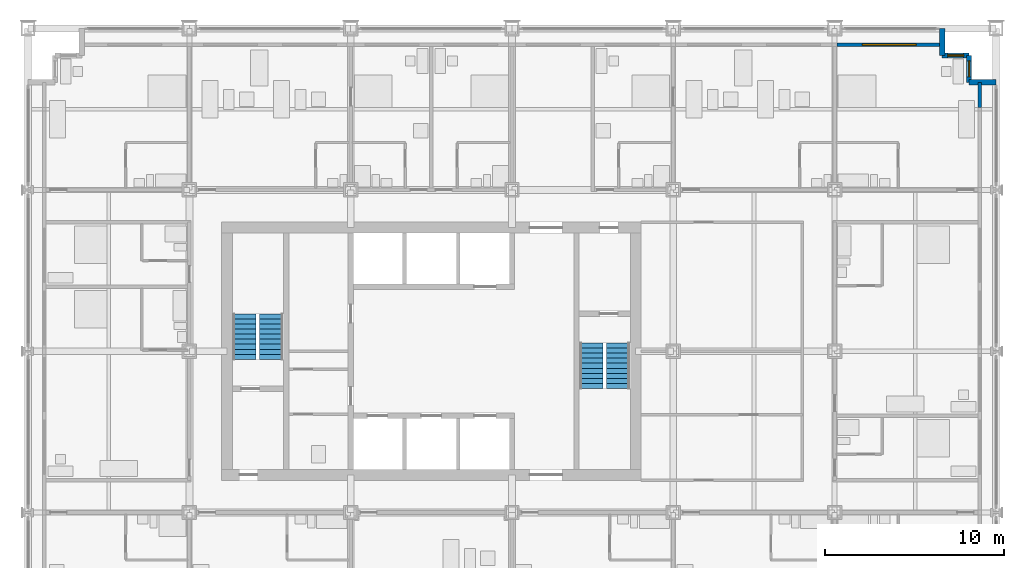
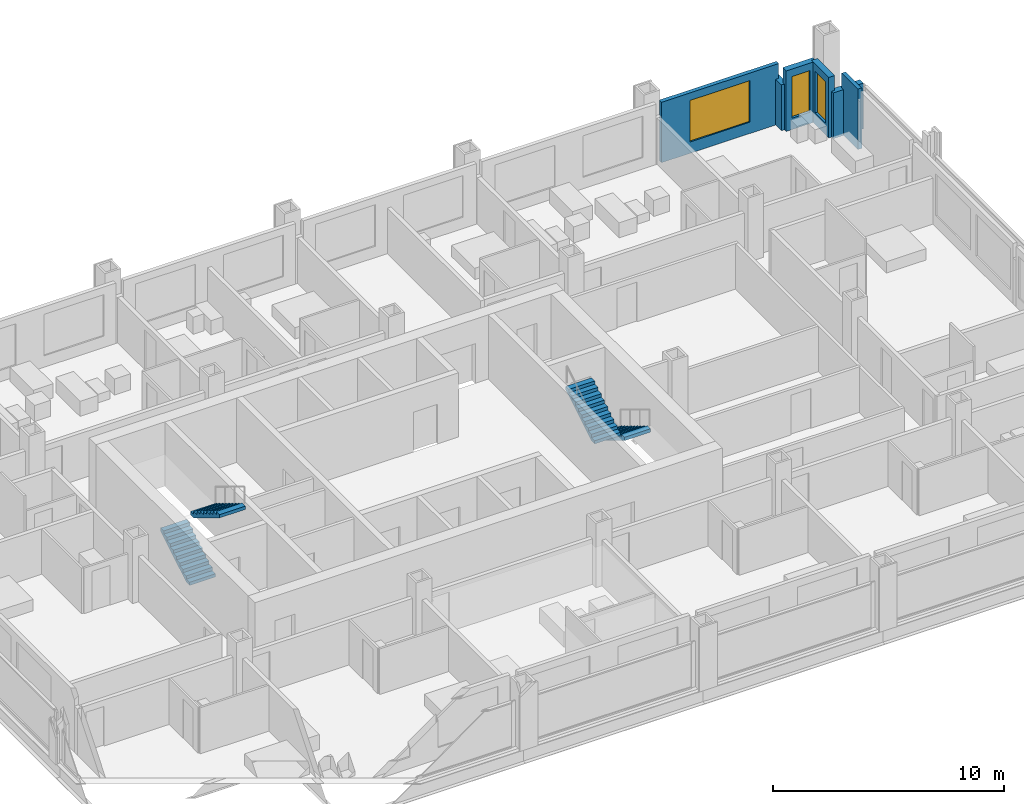
# One storey, part 15 of 18: 6 walls, 4 stair flights, 3 windows, 3 openings, 2 elements without a shape of their own.
"""IFC4 building model written with IfcOpenShell, lengths in metres."""

from ifc_helpers import new_model, si_unit, direction, frame, frame_2d, origin, place, context, subcontext, project, spatial, polyline, rectangle, outline, extrude, material, layer, layer_set, type_object, element, fill, aggregate, save


model = new_model("IFC4")

# Units and contexts
model_context = context("Model", 3, precision=1e-05, world=origin(), true_north=direction((0.0, 1.0)))
body_context = subcontext(model_context, "Body", "Model", "MODEL_VIEW")
ifc_project = project(units=[si_unit("LENGTHUNIT", "METRE"), si_unit("AREAUNIT", "SQUARE_METRE"), si_unit("VOLUMEUNIT", "CUBIC_METRE"), si_unit("PLANEANGLEUNIT", "RADIAN"), si_unit("MASSUNIT", "GRAM", prefix="KILO")], contexts=[model_context])

# Site, building, storey
site_placement = place(None, origin())
site = spatial("IfcSite", under=ifc_project, at=site_placement, CompositionType="ELEMENT")
building_placement = place(site_placement, origin())
building = spatial("IfcBuilding", under=site, at=building_placement, Name="Loomwork Tower", CompositionType="ELEMENT")
storey_placement = place(building_placement, frame((0.0, 0.0, 45.0)))
storey = spatial("IfcBuildingStorey", under=building, at=storey_placement, Name="L10", CompositionType="ELEMENT", Elevation=45.0)

# Wall, opening, window
ifc_material_1 = material(Name="Insulated steel stud wall with gypsum lining", Category="steel")
ifc_layer_1 = layer(ifc_material_1, 0.199951171875)
ifc_layer_set_1 = layer_set([ifc_layer_1], Name="Inner skin wall 200")
wall_type_1 = type_object("IfcWallType", Name="Inner skin wall 200", PredefinedType="SOLIDWALL", material=ifc_layer_set_1)
wall_1_placement = place(storey_placement, frame((45.135498046875, 35.10009765625, 0.0), z_axis=(0.0, 0.0, 1.0), x_axis=(1.0, 0.0, 0.0)))
wall_1 = element("IfcWall", 1, at=wall_1_placement, inside=storey, type_object=wall_type_1, Name="Inner skin wall N bay 11", PredefinedType="SOLIDWALL", context=body_context, shape_type="SweptSolid", body=[
    extrude(rectangle(XDim=5.864501953125, YDim=0.199951171875, at=frame_2d((2.93212890625, 0.0))), origin(), (0.0, 0.0, 1.0), 3.199951171875),
])
opening_1_placement = place(wall_1_placement, frame((1.41455078125, 0.0, 0.60009765625)))
opening_1 = element("IfcOpeningElement", 2, at=opening_1_placement, cuts=wall_1, Name="Opening CH1", PredefinedType="OPENING", context=body_context, shape_type="SweptSolid", body=[
    extrude(rectangle(XDim=3.0, YDim=2.199951171875, at=frame_2d((1.5, 1.10009765625))), frame((0.0, 0.10986328125, 0.0), z_axis=(0.0, -1.0, 0.0), x_axis=(1.0, 0.0, 0.0)), (0.0, 0.0, 1.0), 0.219970703125),
])
ifc_material_2 = material(Name="Aluminium frame with clear insulated glass", Category="aluminium")
window_type_1 = type_object("IfcWindowType", Name="Chicago window 3000", PartitioningType="TRIPLE_PANEL_VERTICAL", PredefinedType="WINDOW", material=ifc_material_2)
window_1_placement = place(opening_1_placement, origin())
window_1 = element("IfcWindow", 3, at=window_1_placement, inside=storey, type_object=window_type_1, Name="Chicago window L10 bay 12", OverallHeight=2.199951171875, OverallWidth=3.0, PartitioningType="TRIPLE_PANEL_VERTICAL", PredefinedType="WINDOW", context=body_context, shape_type="SweptSolid", body=[
    extrude(rectangle(XDim=3.0, YDim=2.199951171875, at=frame_2d((1.5, 1.10009765625))), frame((0.0, 0.030029296875, 0.0), z_axis=(0.0, -1.0, 0.0), x_axis=(1.0, 0.0, 0.0)), (0.0, 0.0, 1.0), 0.06005859375),
])
fill(opening_1, window_1)

# Walls
wall_2_placement = place(storey_placement, frame((53.10009765625, 31.607421875, 0.0), z_axis=(0.0, 0.0, 1.0), x_axis=(0.0, 1.0, 0.0)))
element("IfcWall", 4, at=wall_2_placement, inside=storey, type_object=wall_type_1, Name="Inner skin wall E bay 11", PredefinedType="SOLIDWALL", context=body_context, shape_type="SweptSolid", body=[
    extrude(rectangle(XDim=1.392578125, YDim=0.199951171875, at=frame_2d((0.6962890625, 0.0))), origin(), (0.0, 0.0, 1.0), 3.199951171875),
])
ifc_material_3 = material(Name="Limestone on concrete masonry", Category="masonry")
ifc_layer_2 = layer(ifc_material_3, 0.300048828125)
ifc_layer_set_2 = layer_set([ifc_layer_2], Name="Limestone corner wall 300")
wall_type_2 = type_object("IfcWallType", Name="Limestone corner wall 300", PredefinedType="SOLIDWALL", material=ifc_layer_set_2)
wall_3_placement = place(storey_placement, frame((54.0, 33.0, 0.0), z_axis=(0.0, 0.0, 1.0), x_axis=(-1.0, 0.0, 0.0)))
element("IfcWall", 5, at=wall_3_placement, inside=storey, type_object=wall_type_2, Name="Stone corner wall NE 1", PredefinedType="SOLIDWALL", context=body_context, shape_type="SweptSolid", body=[
    extrude(rectangle(XDim=1.5, YDim=0.300048828125, at=frame_2d((0.75, 0.0))), origin(), (0.0, 0.0, 1.0), 2.419921875),
])

# Wall, opening, window
wall_4_placement = place(storey_placement, frame((52.5, 33.0, 0.0), z_axis=(0.0, 0.0, 1.0), x_axis=(0.0, 1.0, 0.0)))
wall_4 = element("IfcWall", 6, at=wall_4_placement, inside=storey, type_object=wall_type_2, Name="Stone corner wall NE 2", PredefinedType="SOLIDWALL", context=body_context, shape_type="SweptSolid", body=[
    extrude(rectangle(XDim=1.5, YDim=0.300048828125, at=frame_2d((0.75, 0.0))), origin(), (0.0, 0.0, 1.0), 3.199951171875),
])
opening_2_placement = place(wall_4_placement, frame((0.300048828125, 0.0, 0.60009765625)))
opening_2 = element("IfcOpeningElement", 7, at=opening_2_placement, cuts=wall_4, Name="Opening CH2", PredefinedType="OPENING", context=body_context, shape_type="SweptSolid", body=[
    extrude(rectangle(XDim=0.89990234375, YDim=2.199951171875, at=frame_2d((0.449951171875, 1.10009765625))), frame((0.0, 0.159912109375, 0.0), z_axis=(0.0, -1.0, 0.0), x_axis=(1.0, 0.0, 0.0)), (0.0, 0.0, 1.0), 0.320068359375),
])
ifc_material_4 = material(Name="Aluminium frame with clear insulated glass", Category="aluminium")
window_type_2 = type_object("IfcWindowType", Name="Corner window 900", PartitioningType="SINGLE_PANEL", PredefinedType="WINDOW", material=ifc_material_4)
window_2_placement = place(opening_2_placement, origin())
window_2 = element("IfcWindow", 8, at=window_2_placement, inside=storey, type_object=window_type_2, Name="Corner window NE", OverallHeight=2.199951171875, OverallWidth=0.89990234375, PartitioningType="SINGLE_PANEL", PredefinedType="WINDOW", context=body_context, shape_type="SweptSolid", body=[
    extrude(rectangle(XDim=0.89990234375, YDim=2.199951171875, at=frame_2d((0.449951171875, 1.10009765625))), frame((0.0, 0.030029296875, 0.0), z_axis=(0.0, -1.0, 0.0), x_axis=(1.0, 0.0, 0.0)), (0.0, 0.0, 1.0), 0.06005859375),
])
fill(opening_2, window_2)

wall_5_placement = place(storey_placement, frame((52.5, 34.5, 0.0), z_axis=(0.0, 0.0, 1.0), x_axis=(-1.0, 0.0, 0.0)))
wall_5 = element("IfcWall", 9, at=wall_5_placement, inside=storey, type_object=wall_type_2, Name="Stone corner wall NE 3", PredefinedType="SOLIDWALL", context=body_context, shape_type="SweptSolid", body=[
    extrude(rectangle(XDim=1.5, YDim=0.300048828125, at=frame_2d((0.75, 0.0))), origin(), (0.0, 0.0, 1.0), 3.199951171875),
])
opening_3_placement = place(wall_5_placement, frame((0.300048828125, 0.0, 0.60009765625)))
opening_3 = element("IfcOpeningElement", 10, at=opening_3_placement, cuts=wall_5, Name="Opening CH2", PredefinedType="OPENING", context=body_context, shape_type="SweptSolid", body=[
    extrude(rectangle(XDim=0.89990234375, YDim=2.199951171875, at=frame_2d((0.449951171875, 1.10009765625))), frame((0.0, 0.159912109375, 0.0), z_axis=(0.0, -1.0, 0.0), x_axis=(1.0, 0.0, 0.0)), (0.0, 0.0, 1.0), 0.320068359375),
])
window_3_placement = place(opening_3_placement, origin())
window_3 = element("IfcWindow", 11, at=window_3_placement, inside=storey, type_object=window_type_2, Name="Corner window NE", OverallHeight=2.199951171875, OverallWidth=0.89990234375, PartitioningType="SINGLE_PANEL", PredefinedType="WINDOW", context=body_context, shape_type="SweptSolid", body=[
    extrude(rectangle(XDim=0.89990234375, YDim=2.199951171875, at=frame_2d((0.449951171875, 1.10009765625))), frame((0.0, 0.030029296875, 0.0), z_axis=(0.0, -1.0, 0.0), x_axis=(1.0, 0.0, 0.0)), (0.0, 0.0, 1.0), 0.06005859375),
])
fill(opening_3, window_3)

# Wall
wall_6_placement = place(storey_placement, frame((51.0, 34.5, 0.0), z_axis=(0.0, 0.0, 1.0), x_axis=(0.0, 1.0, 0.0)))
element("IfcWall", 12, at=wall_6_placement, inside=storey, type_object=wall_type_2, Name="Stone corner wall NE 4", PredefinedType="SOLIDWALL", context=body_context, shape_type="SweptSolid", body=[
    extrude(rectangle(XDim=1.5, YDim=0.300048828125, at=frame_2d((0.75, 0.0))), origin(), (0.0, 0.0, 1.0), 2.419921875),
])

# Stair, stair flights
ifc_material_5 = material(Name="Concrete 5000 psi (34 MPa) precast stair", Category="concrete")
stair_type_1 = type_object("IfcStairType", Name="Stair ST-A 20 risers 2850 wide", PredefinedType="HALF_TURN_STAIR", material=ifc_material_5)
stair_1_placement = place(storey_placement, origin())
stair_1 = element("IfcStair", 13, at=stair_1_placement, inside=storey, type_object=stair_type_1, Name="Stair A L10", PredefinedType="HALF_TURN_STAIR")
ifc_material_6 = material(Name="Concrete 5000 psi (34 MPa) precast stair", Category="concrete")
stair_flight_type_1 = type_object("IfcStairFlightType", Name="Stair flight ST-A 10 risers 1300 wide", PredefinedType="STRAIGHT", material=ifc_material_6)
stair_flight_1_placement = place(storey_placement, frame((12.074951171875, 17.550048828125, 0.0), z_axis=(0.0, 0.0, 1.0), x_axis=(0.0, 1.0, 0.0)))
stair_flight_1 = element("IfcStairFlight", 14, at=stair_flight_1_placement, type_object=stair_flight_type_1, Name="ST-A flight 1", NumberOfRisers=10, NumberOfTreads=9, PredefinedType="STRAIGHT", RiserHeight=0.17, TreadLength=0.28, context=body_context, shape_type="SweptSolid", body=[
    extrude(outline(polyline([(0.0, 0.0), (0.0, 0.169921875), (0.280029296875, 0.169921875), (0.280029296875, 0.340087890625), (0.56005859375, 0.340087890625), (0.56005859375, 0.510009765625), (0.840087890625, 0.510009765625), (0.840087890625, 0.679931640625), (1.1201171875, 0.679931640625), (1.1201171875, 0.85009765625), (1.39990234375, 0.85009765625), (1.39990234375, 1.02001953125), (1.679931640625, 1.02001953125), (1.679931640625, 1.18994140625), (1.9599609375, 1.18994140625), (1.9599609375, 1.360107421875), (2.239990234375, 1.360107421875), (2.239990234375, 1.530029296875), (2.52001953125, 1.530029296875), (2.52001953125, 1.699951171875), (2.52001953125, 1.354736328125), (0.288818359375, 0.0), (0.0, 0.0)])), frame((0.0, 0.64990234375, 0.0), z_axis=(0.0, -1.0, 0.0), x_axis=(1.0, 0.0, 0.0)), (0.0, 0.0, 1.0), 1.300048828125),
])
stair_flight_2_placement = place(storey_placement, frame((13.574951171875, 20.070068359375, 1.699951171875), z_axis=(0.0, 0.0, 1.0), x_axis=(0.0, -1.0, 0.0)))
stair_flight_2 = element("IfcStairFlight", 15, at=stair_flight_2_placement, type_object=stair_flight_type_1, Name="ST-A flight 2", NumberOfRisers=10, NumberOfTreads=9, PredefinedType="STRAIGHT", RiserHeight=0.17, TreadLength=0.28, context=body_context, shape_type="SweptSolid", body=[
    extrude(outline(polyline([(0.0, 0.0), (0.0, 0.169921875), (0.280029296875, 0.169921875), (0.280029296875, 0.340087890625), (0.56005859375, 0.340087890625), (0.56005859375, 0.510009765625), (0.840087890625, 0.510009765625), (0.840087890625, 0.679931640625), (1.1201171875, 0.679931640625), (1.1201171875, 0.85009765625), (1.39990234375, 0.85009765625), (1.39990234375, 1.02001953125), (1.679931640625, 1.02001953125), (1.679931640625, 1.18994140625), (1.9599609375, 1.18994140625), (1.9599609375, 1.360107421875), (2.239990234375, 1.360107421875), (2.239990234375, 1.530029296875), (2.52001953125, 1.530029296875), (2.52001953125, 1.699951171875), (2.52001953125, 1.354736328125), (0.288818359375, 0.0), (0.0, 0.0)])), frame((0.0, 0.64990234375, 0.0), z_axis=(0.0, -1.0, 0.0), x_axis=(1.0, 0.0, 0.0)), (0.0, 0.0, 1.0), 1.300048828125),
])
aggregate(stair_1, [stair_flight_1, stair_flight_2])

ifc_material_7 = material(Name="Concrete 5000 psi (34 MPa) precast stair", Category="concrete")
stair_type_2 = type_object("IfcStairType", Name="Stair ST-B 20 risers 2850 wide", PredefinedType="HALF_TURN_STAIR", material=ifc_material_7)
stair_2_placement = place(storey_placement, origin())
stair_2 = element("IfcStair", 16, at=stair_2_placement, inside=storey, type_object=stair_type_2, Name="Stair B L10", PredefinedType="HALF_TURN_STAIR")
ifc_material_8 = material(Name="Concrete 5000 psi (34 MPa) precast stair", Category="concrete")
stair_flight_type_2 = type_object("IfcStairFlightType", Name="Stair flight ST-B 10 risers 1300 wide", PredefinedType="STRAIGHT", material=ifc_material_8)
stair_flight_3_placement = place(storey_placement, frame((32.925048828125, 18.449951171875, 0.0), z_axis=(0.0, 0.0, 1.0), x_axis=(0.0, -1.0, 0.0)))
stair_flight_3 = element("IfcStairFlight", 17, at=stair_flight_3_placement, type_object=stair_flight_type_2, Name="ST-B flight 1", NumberOfRisers=10, NumberOfTreads=9, PredefinedType="STRAIGHT", RiserHeight=0.17, TreadLength=0.28, context=body_context, shape_type="SweptSolid", body=[
    extrude(outline(polyline([(0.0, 0.0), (0.0, 0.169921875), (0.280029296875, 0.169921875), (0.280029296875, 0.340087890625), (0.56005859375, 0.340087890625), (0.56005859375, 0.510009765625), (0.840087890625, 0.510009765625), (0.840087890625, 0.679931640625), (1.1201171875, 0.679931640625), (1.1201171875, 0.85009765625), (1.39990234375, 0.85009765625), (1.39990234375, 1.02001953125), (1.679931640625, 1.02001953125), (1.679931640625, 1.18994140625), (1.9599609375, 1.18994140625), (1.9599609375, 1.360107421875), (2.239990234375, 1.360107421875), (2.239990234375, 1.530029296875), (2.52001953125, 1.530029296875), (2.52001953125, 1.699951171875), (2.52001953125, 1.354736328125), (0.288818359375, 0.0), (0.0, 0.0)])), frame((0.0, 0.64990234375, 0.0), z_axis=(0.0, -1.0, 0.0), x_axis=(1.0, 0.0, 0.0)), (0.0, 0.0, 1.0), 1.300048828125),
])
stair_flight_4_placement = place(storey_placement, frame((31.425048828125, 15.929931640625, 1.699951171875), z_axis=(0.0, 0.0, 1.0), x_axis=(0.0, 1.0, 0.0)))
stair_flight_4 = element("IfcStairFlight", 18, at=stair_flight_4_placement, type_object=stair_flight_type_2, Name="ST-B flight 2", NumberOfRisers=10, NumberOfTreads=9, PredefinedType="STRAIGHT", RiserHeight=0.17, TreadLength=0.28, context=body_context, shape_type="SweptSolid", body=[
    extrude(outline(polyline([(0.0, 0.0), (0.0, 0.169921875), (0.280029296875, 0.169921875), (0.280029296875, 0.340087890625), (0.56005859375, 0.340087890625), (0.56005859375, 0.510009765625), (0.840087890625, 0.510009765625), (0.840087890625, 0.679931640625), (1.1201171875, 0.679931640625), (1.1201171875, 0.85009765625), (1.39990234375, 0.85009765625), (1.39990234375, 1.02001953125), (1.679931640625, 1.02001953125), (1.679931640625, 1.18994140625), (1.9599609375, 1.18994140625), (1.9599609375, 1.360107421875), (2.239990234375, 1.360107421875), (2.239990234375, 1.530029296875), (2.52001953125, 1.530029296875), (2.52001953125, 1.699951171875), (2.52001953125, 1.354736328125), (0.288818359375, 0.0), (0.0, 0.0)])), frame((0.0, 0.64990234375, 0.0), z_axis=(0.0, -1.0, 0.0), x_axis=(1.0, 0.0, 0.0)), (0.0, 0.0, 1.0), 1.300048828125),
])
aggregate(stair_2, [stair_flight_3, stair_flight_4])

save(model, "model.ifc")
